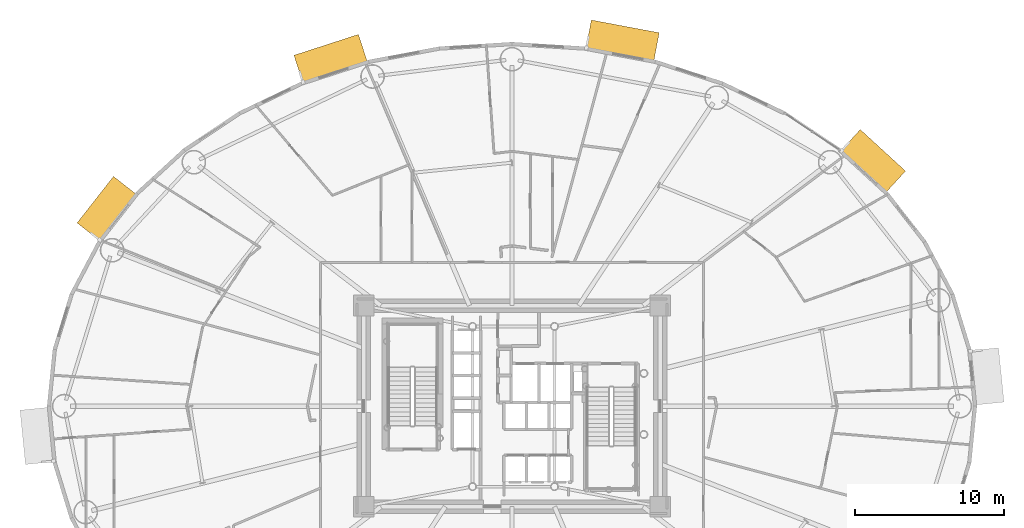
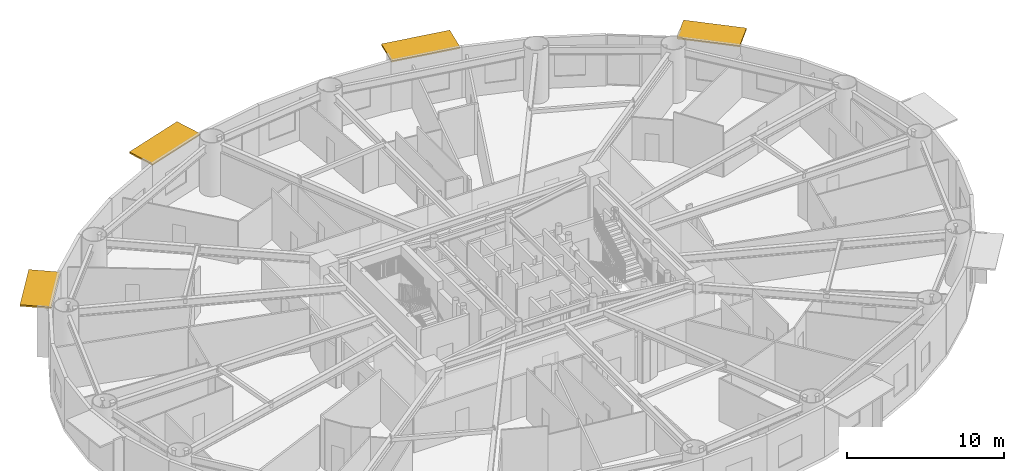
# One storey, part 24 of 24: 4 shading devices.
"""IFC4 building model written with IfcOpenShell, lengths in metres."""

from ifc_helpers import new_model, si_unit, direction, frame, origin, origin_2d, place, context, subcontext, project, spatial, rectangle, extrude, source, transform, mapped, material, layer, layer_set, type_object, element, save


model = new_model("IFC4")

# Units and contexts
model_context = context("Model", 3, precision=1e-05, world=origin(), true_north=direction((0.0, 1.0)))
body_context = subcontext(model_context, "Body", "Model", "MODEL_VIEW")
ifc_project = project(units=[si_unit("LENGTHUNIT", "METRE"), si_unit("AREAUNIT", "SQUARE_METRE"), si_unit("VOLUMEUNIT", "CUBIC_METRE"), si_unit("PLANEANGLEUNIT", "RADIAN"), si_unit("MASSUNIT", "GRAM", prefix="KILO")], contexts=[model_context])

# Site, building, storey
site_placement = place(None, origin())
site = spatial("IfcSite", under=ifc_project, at=site_placement, CompositionType="ELEMENT")
building_placement = place(site_placement, origin())
building = spatial("IfcBuilding", under=site, at=building_placement, Name="Linh Dai School and Residence Tower", CompositionType="ELEMENT")
storey_placement = place(building_placement, frame((0.0, 0.0, 74.39990234375)))
storey = spatial("IfcBuildingStorey", under=building, at=storey_placement, Name="L17", CompositionType="ELEMENT", Elevation=74.39990234375)

# Shading devices
ifc_material = material(Name="Terracotta Ceramic Sunshade", Category="masonry")
ifc_layer = layer(ifc_material, 0.1201171875)
ifc_layer_set = layer_set([ifc_layer], Name="Terracotta Ceramic Sunshade")
shading_device_type = type_object("IfcShadingDeviceType", Name="SHD-TC-2000", PredefinedType="USERDEFINED", material=ifc_layer_set)
shared_shape_1 = source(origin(), body_context, "Body", "SweptSolid", [
    extrude(rectangle(XDim=4.1220703125, YDim=2.0, at=origin_2d()), origin(), (0.0, 0.0, 1.0), 0.1201171875),
])
shading_device_1_placement = place(storey_placement, frame((60.2158203125, 43.43310546875, 3.81005859375), z_axis=(0.0, 0.0, 1.0), x_axis=(0.737113246362, -0.675769237268, 0.0)))
element("IfcShadingDevice", 1, at=shading_device_1_placement, inside=storey, type_object=shading_device_type, Name="L17 Terracotta Horizontal Sunshade Band 05", ObjectType="SUNSHADE", PredefinedType="USERDEFINED", context=body_context, shape_type="MappedRepresentation", body=[
    mapped(shared_shape_1, transform((0.0, 0.0, 0.0), x_axis=(1.0, 0.0, 0.0), y_axis=(0.0, 1.0, 0.0), z_axis=(0.0, 0.0, 1.0), scale=1.0)),
])
shared_shape_2 = source(origin(), body_context, "Body", "SweptSolid", [
    extrude(rectangle(XDim=4.635009765625, YDim=2.0, at=origin_2d()), origin(), (0.0, 0.0, 1.0), 0.1201171875),
])
shading_device_2_placement = place(storey_placement, frame((43.415283203125, 51.502685546875, 3.81005859375), z_axis=(0.0, 0.0, 1.0), x_axis=(0.982785935675, -0.184747948944, 0.0)))
element("IfcShadingDevice", 2, at=shading_device_2_placement, inside=storey, type_object=shading_device_type, Name="L17 Terracotta Horizontal Sunshade Band 09", ObjectType="SUNSHADE", PredefinedType="USERDEFINED", context=body_context, shape_type="MappedRepresentation", body=[
    mapped(shared_shape_2, transform((0.0, 0.0, 0.0), x_axis=(1.0, 0.0, 0.0), y_axis=(0.0, 1.0, 0.0), z_axis=(0.0, 0.0, 1.0), scale=1.0)),
])
shared_shape_3 = source(origin(), body_context, "Body", "SweptSolid", [
    extrude(rectangle(XDim=4.54931640625, YDim=2.0, at=origin_2d()), origin(), (0.0, 0.0, 1.0), 0.1201171875),
])
shading_device_3_placement = place(storey_placement, frame((23.839599609375, 50.29541015625, 3.81005859375), z_axis=(0.0, 0.0, 1.0), x_axis=(0.951220777043, 0.308510993844, 0.0)))
element("IfcShadingDevice", 3, at=shading_device_3_placement, inside=storey, type_object=shading_device_type, Name="L17 Terracotta Horizontal Sunshade Band 13", ObjectType="SUNSHADE", PredefinedType="USERDEFINED", context=body_context, shape_type="MappedRepresentation", body=[
    mapped(shared_shape_3, transform((0.0, 0.0, 0.0), x_axis=(1.0, 0.0, 0.0), y_axis=(0.0, 1.0, 0.0), z_axis=(0.0, 0.0, 1.0), scale=1.0)),
])
shared_shape_4 = source(origin(), body_context, "Body", "SweptSolid", [
    extrude(rectangle(XDim=3.964111328125, YDim=2.0, at=origin_2d()), origin(), (0.0, 0.0, 1.0), 0.1201171875),
])
shading_device_4_placement = place(storey_placement, frame((8.82177734375, 40.240478515625, 3.81005859375), z_axis=(0.0, 0.0, 1.0), x_axis=(0.616319427785, 0.787496262172, 0.0)))
element("IfcShadingDevice", 4, at=shading_device_4_placement, inside=storey, type_object=shading_device_type, Name="L17 Terracotta Horizontal Sunshade Band 17", ObjectType="SUNSHADE", PredefinedType="USERDEFINED", context=body_context, shape_type="MappedRepresentation", body=[
    mapped(shared_shape_4, transform((0.0, 0.0, 0.0), x_axis=(1.0, 0.0, 0.0), y_axis=(0.0, 1.0, 0.0), z_axis=(0.0, 0.0, 1.0), scale=1.0)),
])

save(model, "model.ifc")
